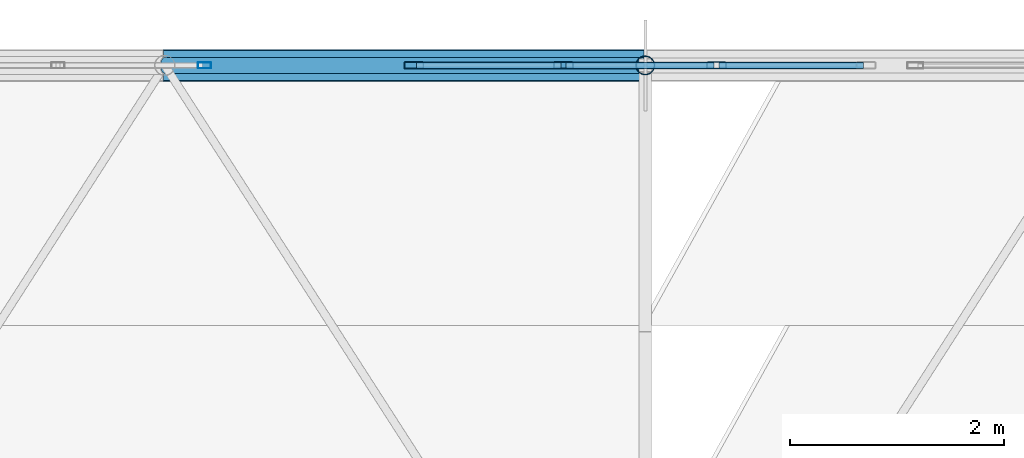
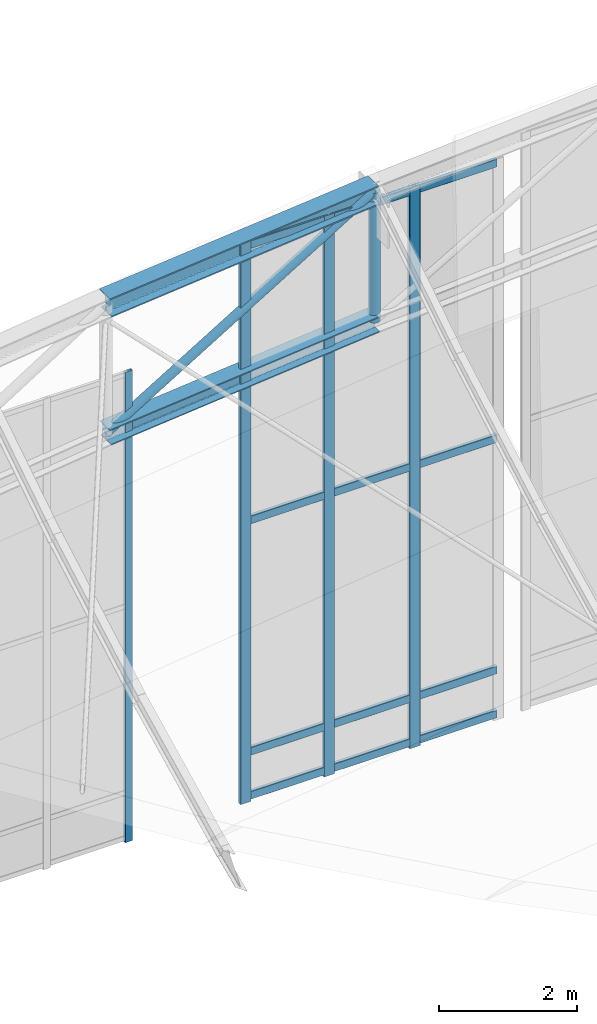
# One storey, part 206 of 262: 20 members, 2 elements without a shape of their own.
"""IFC4 building model written with IfcOpenShell, lengths in metres."""

from ifc_helpers import new_model, si_unit, derived_unit, direction, frame, origin, origin_2d, place, context, subcontext, project, spatial, hollow_rectangle, hollow_circle, i_section, extrude, material, layer, layer_set, material_profile, profile_set, type_object, element, aggregate, save


model = new_model("IFC4")

# Units and contexts
model_context = context("Model", 3, precision=1e-05, world=origin(), true_north=direction((0.0, 1.0)))
body_context = subcontext(model_context, "Body", "Model", "MODEL_VIEW")
ifc_project = project(units=[si_unit("LENGTHUNIT", "METRE"), si_unit("AREAUNIT", "SQUARE_METRE"), si_unit("VOLUMEUNIT", "CUBIC_METRE"), si_unit("PLANEANGLEUNIT", "RADIAN"), si_unit("MASSUNIT", "GRAM", prefix="KILO"), derived_unit("THERMALTRANSMITTANCEUNIT", [(si_unit("POWERUNIT", "WATT"), 1), (si_unit("LENGTHUNIT", "METRE"), -2), (si_unit("THERMODYNAMICTEMPERATUREUNIT", "KELVIN"), -1)])], contexts=[model_context])

# Site, building, storey
site_placement = place(None, origin())
site = spatial("IfcSite", under=ifc_project, at=site_placement, CompositionType="ELEMENT")
building_placement = place(site_placement, origin())
building = spatial("IfcBuilding", under=site, at=building_placement, Name="Almenara Railside Exhibition Hall", CompositionType="ELEMENT")
storey_placement = place(building_placement, frame((0.0, 0.0, 21.699951171875)))
storey = spatial("IfcBuildingStorey", under=building, at=storey_placement, Name="RF", CompositionType="ELEMENT", Elevation=21.699951171875)

# Members
ifc_material_1 = material(Name="Structural steel S355JR", Category="steel")
ifc_material_profile_1 = material_profile(ifc_material_1, i_section(OverallWidth=0.280029296875, OverallDepth=0.280029296875, WebThickness=0.010498046875, FlangeThickness=0.01806640625, FilletRadius=0.02392578125, at=origin_2d()), Name="HEB 280")
ifc_profile_set_1 = profile_set([ifc_material_profile_1], Name="Structural steel S355JR")
member_type_1 = type_object("IfcMemberType", Name="Arched Gable Bottom Chord HEB 280 S355JR", PredefinedType="CHORD", material=ifc_profile_set_1)
member_1_placement = place(storey_placement, frame((147.0, 132.0, 0.622314453125), z_axis=(0.995512933083, 0.0, 0.094625578275), x_axis=(0.0, 1.0, 0.0)))
element("IfcMember", 1, at=member_1_placement, inside=storey, type_object=member_type_1, Name="MEM-BC-V2-07-02", PredefinedType="CHORD", context=body_context, shape_type="SweptSolid", body=[
    extrude(i_section(OverallWidth=0.280029296875, OverallDepth=0.280029296875, WebThickness=0.010498046875, FlangeThickness=0.01806640625, FilletRadius=0.02392578125, at=origin_2d()), origin(), (0.0, 0.0, 1.0), 4.520263671875),
])
ifc_material_profile_2 = material_profile(ifc_material_1, i_section(OverallWidth=0.300048828125, OverallDepth=0.340087890625, WebThickness=0.011962890625, FlangeThickness=0.021484375, FilletRadius=0.027099609375, at=origin_2d()), Name="HEB 340")
ifc_profile_set_2 = profile_set([ifc_material_profile_2], Name="Structural steel S355JR")
member_type_2 = type_object("IfcMemberType", Name="Arched Gable Top Chord HEB 340 S355JR", PredefinedType="CHORD", material=ifc_profile_set_2)
member_2_placement = place(storey_placement, frame((147.0, 132.0, 2.92236328125), z_axis=(0.995512933083, 0.0, 0.094625578275), x_axis=(0.0, 1.0, 0.0)))
element("IfcMember", 2, at=member_2_placement, inside=storey, type_object=member_type_2, Name="MEM-TC-V2-07-02", PredefinedType="CHORD", context=body_context, shape_type="SweptSolid", body=[
    extrude(i_section(OverallWidth=0.300048828125, OverallDepth=0.340087890625, WebThickness=0.011962890625, FlangeThickness=0.021484375, FilletRadius=0.027099609375, at=origin_2d()), origin(), (0.0, 0.0, 1.0), 4.520263671875),
])

# Curtain wall, member
ifc_material_2 = material(Name="Bronze-anodised aluminium and low-E double glazing", Category="aluminium")
ifc_layer_1 = layer(ifc_material_2, 0.179931640625, Name="Bronze-anodised aluminium and low-E double glazing")
ifc_layer_set_1 = layer_set([ifc_layer_1], Name="Bronze-anodised aluminium and low-E double glazing")
curtain_wall_type_1 = type_object("IfcCurtainWallType", Name="Scroll Gable Standard Curtain Wall 3600x5000", PredefinedType="NOTDEFINED", material=ifc_layer_set_1)
curtain_wall_1_placement = place(storey_placement, origin())
curtain_wall_1 = element("IfcCurtainWall", 3, at=curtain_wall_1_placement, inside=storey, type_object=curtain_wall_type_1, Name="Curtain wall CW-G2-223", PredefinedType="NOTDEFINED")
ifc_material_3 = material(Name="Bronze-anodised aluminium", Category="aluminium")
ifc_material_profile_3 = material_profile(ifc_material_3, hollow_rectangle(XDim=0.054931640625, YDim=0.125, WallThickness=0.0029296875, InnerFilletRadius=0.0029296875, OuterFilletRadius=0.006103515625, at=origin_2d()), Name="ALU-MUL 55x125x3")
ifc_profile_set_3 = profile_set([ifc_material_profile_3], Name="Bronze-anodised aluminium")
member_type_3 = type_object("IfcMemberType", Name="Curtain Wall Mullion 55x125x3", PredefinedType="MULLION", material=ifc_profile_set_3)
member_3_placement = place(storey_placement, frame((147.37255859375, 132.0, -6.73486328125), z_axis=(0.0, 0.0, 1.0), x_axis=(0.0, 1.0, 0.0)))
member_3 = element("IfcMember", 4, at=member_3_placement, type_object=member_type_3, Name="CW-G2-223 mullion 7", PredefinedType="MULLION", context=body_context, shape_type="SweptSolid", body=[
    extrude(hollow_rectangle(XDim=0.054931640625, YDim=0.125, WallThickness=0.0029296875, InnerFilletRadius=0.0029296875, OuterFilletRadius=0.006103515625, at=origin_2d()), origin(), (0.0, 0.0, 1.0), 8.3349609375),
])
aggregate(curtain_wall_1, [member_3])

# Curtain wall, members
ifc_layer_2 = layer(ifc_material_2, 0.179931640625, Name="Bronze-anodised aluminium and low-E double glazing")
ifc_layer_set_2 = layer_set([ifc_layer_2], Name="Bronze-anodised aluminium and low-E double glazing")
curtain_wall_type_2 = type_object("IfcCurtainWallType", Name="Scroll Gable Tall Curtain Wall 3800x5400", PredefinedType="NOTDEFINED", material=ifc_layer_set_2)
curtain_wall_2_placement = place(storey_placement, origin())
curtain_wall_2 = element("IfcCurtainWall", 5, at=curtain_wall_2_placement, inside=storey, type_object=curtain_wall_type_2, Name="Curtain wall CW-G1-225", PredefinedType="NOTDEFINED")
ifc_material_profile_4 = material_profile(ifc_material_3, hollow_rectangle(XDim=0.06494140625, YDim=0.179931640625, WallThickness=0.00390625, InnerFilletRadius=0.00390625, OuterFilletRadius=0.008056640625, at=origin_2d()), Name="ALU-MUL 65x180x4")
ifc_profile_set_4 = profile_set([ifc_material_profile_4], Name="Bronze-anodised aluminium")
member_type_4 = type_object("IfcMemberType", Name="Curtain Wall Mullion 65x180x4", PredefinedType="MULLION", material=ifc_profile_set_4)
member_4_placement = place(storey_placement, frame((149.33251953125, 132.0, -6.73486328125), z_axis=(0.0, 0.0, 1.0), x_axis=(0.0, 1.0, 0.0)))
member_4 = element("IfcMember", 6, at=member_4_placement, type_object=member_type_4, Name="CW-G1-225 mullion 1", PredefinedType="MULLION", context=body_context, shape_type="SweptSolid", body=[
    extrude(hollow_rectangle(XDim=0.06494140625, YDim=0.179931640625, WallThickness=0.00390625, InnerFilletRadius=0.00390625, OuterFilletRadius=0.008056640625, at=origin_2d()), origin(), (0.0, 0.0, 1.0), 9.934814453125),
])
member_5_placement = place(storey_placement, frame((150.7333984375, 132.0, -6.73486328125), z_axis=(0.0, 0.0, 1.0), x_axis=(0.0, 1.0, 0.0)))
member_5 = element("IfcMember", 7, at=member_5_placement, type_object=member_type_4, Name="CW-G1-225 mullion 2", PredefinedType="MULLION", context=body_context, shape_type="SweptSolid", body=[
    extrude(hollow_rectangle(XDim=0.06494140625, YDim=0.179931640625, WallThickness=0.00390625, InnerFilletRadius=0.00390625, OuterFilletRadius=0.008056640625, at=origin_2d()), origin(), (0.0, 0.0, 1.0), 9.934814453125),
])
member_6_placement = place(storey_placement, frame((152.166748046875, 132.0, -6.73486328125), z_axis=(0.0, 0.0, 1.0), x_axis=(0.0, 1.0, 0.0)))
member_6 = element("IfcMember", 8, at=member_6_placement, type_object=member_type_4, Name="CW-G1-225 mullion 3", PredefinedType="MULLION", context=body_context, shape_type="SweptSolid", body=[
    extrude(hollow_rectangle(XDim=0.06494140625, YDim=0.179931640625, WallThickness=0.00390625, InnerFilletRadius=0.00390625, OuterFilletRadius=0.008056640625, at=origin_2d()), origin(), (0.0, 0.0, 1.0), 9.934814453125),
])
ifc_material_profile_5 = material_profile(ifc_material_3, hollow_rectangle(XDim=0.06494140625, YDim=0.139892578125, WallThickness=0.00341796875, InnerFilletRadius=0.00341796875, OuterFilletRadius=0.007080078125, at=origin_2d()), Name="ALU-TRN 65x140x3.5")
ifc_profile_set_5 = profile_set([ifc_material_profile_5], Name="Bronze-anodised aluminium")
member_type_5 = type_object("IfcMemberType", Name="Curtain Wall Transom 65x140x3.5", PredefinedType="USERDEFINED", material=ifc_profile_set_5)
member_7_placement = place(storey_placement, frame((149.35693359375, 132.0, -6.6298828125), z_axis=(1.0, 0.0, 0.0), x_axis=(0.0, 1.0, 0.0)))
member_7 = element("IfcMember", 9, at=member_7_placement, type_object=member_type_5, Name="CW-G1-225 transom 1.1", ObjectType="TRANSOM", PredefinedType="USERDEFINED", context=body_context, shape_type="SweptSolid", body=[
    extrude(hollow_rectangle(XDim=0.06494140625, YDim=0.139892578125, WallThickness=0.00341796875, InnerFilletRadius=0.00341796875, OuterFilletRadius=0.007080078125, at=origin_2d()), origin(), (0.0, 0.0, 1.0), 1.351806640625),
])
member_8_placement = place(storey_placement, frame((149.35693359375, 132.0, -5.849853515625), z_axis=(1.0, 0.0, 0.0), x_axis=(0.0, 1.0, 0.0)))
member_8 = element("IfcMember", 10, at=member_8_placement, type_object=member_type_5, Name="CW-G1-225 transom 1.2", ObjectType="TRANSOM", PredefinedType="USERDEFINED", context=body_context, shape_type="SweptSolid", body=[
    extrude(hollow_rectangle(XDim=0.06494140625, YDim=0.139892578125, WallThickness=0.00341796875, InnerFilletRadius=0.00341796875, OuterFilletRadius=0.007080078125, at=origin_2d()), origin(), (0.0, 0.0, 1.0), 1.351806640625),
])
member_9_placement = place(storey_placement, frame((149.35693359375, 132.0, -1.75), z_axis=(1.0, 0.0, 0.0), x_axis=(0.0, 1.0, 0.0)))
member_9 = element("IfcMember", 11, at=member_9_placement, type_object=member_type_5, Name="CW-G1-225 transom 1.3", ObjectType="TRANSOM", PredefinedType="USERDEFINED", context=body_context, shape_type="SweptSolid", body=[
    extrude(hollow_rectangle(XDim=0.06494140625, YDim=0.139892578125, WallThickness=0.00341796875, InnerFilletRadius=0.00341796875, OuterFilletRadius=0.007080078125, at=origin_2d()), origin(), (0.0, 0.0, 1.0), 1.351806640625),
])
member_10_placement = place(storey_placement, frame((149.35693359375, 132.0, 3.130126953125), z_axis=(1.0, 0.0, 0.0), x_axis=(0.0, 1.0, 0.0)))
member_10 = element("IfcMember", 12, at=member_10_placement, type_object=member_type_5, Name="CW-G1-225 transom 1.4", ObjectType="TRANSOM", PredefinedType="USERDEFINED", context=body_context, shape_type="SweptSolid", body=[
    extrude(hollow_rectangle(XDim=0.06494140625, YDim=0.139892578125, WallThickness=0.00341796875, InnerFilletRadius=0.00341796875, OuterFilletRadius=0.007080078125, at=origin_2d()), origin(), (0.0, 0.0, 1.0), 1.351806640625),
])
member_11_placement = place(storey_placement, frame((150.7578125, 132.0, -6.6298828125), z_axis=(1.0, 0.0, 0.0), x_axis=(0.0, 1.0, 0.0)))
member_11 = element("IfcMember", 13, at=member_11_placement, type_object=member_type_5, Name="CW-G1-225 transom 2.1", ObjectType="TRANSOM", PredefinedType="USERDEFINED", context=body_context, shape_type="SweptSolid", body=[
    extrude(hollow_rectangle(XDim=0.06494140625, YDim=0.139892578125, WallThickness=0.00341796875, InnerFilletRadius=0.00341796875, OuterFilletRadius=0.007080078125, at=origin_2d()), origin(), (0.0, 0.0, 1.0), 1.38427734375),
])
member_12_placement = place(storey_placement, frame((150.7578125, 132.0, -5.849853515625), z_axis=(1.0, 0.0, 0.0), x_axis=(0.0, 1.0, 0.0)))
member_12 = element("IfcMember", 14, at=member_12_placement, type_object=member_type_5, Name="CW-G1-225 transom 2.2", ObjectType="TRANSOM", PredefinedType="USERDEFINED", context=body_context, shape_type="SweptSolid", body=[
    extrude(hollow_rectangle(XDim=0.06494140625, YDim=0.139892578125, WallThickness=0.00341796875, InnerFilletRadius=0.00341796875, OuterFilletRadius=0.007080078125, at=origin_2d()), origin(), (0.0, 0.0, 1.0), 1.38427734375),
])
member_13_placement = place(storey_placement, frame((150.7578125, 132.0, -1.75), z_axis=(1.0, 0.0, 0.0), x_axis=(0.0, 1.0, 0.0)))
member_13 = element("IfcMember", 15, at=member_13_placement, type_object=member_type_5, Name="CW-G1-225 transom 2.3", ObjectType="TRANSOM", PredefinedType="USERDEFINED", context=body_context, shape_type="SweptSolid", body=[
    extrude(hollow_rectangle(XDim=0.06494140625, YDim=0.139892578125, WallThickness=0.00341796875, InnerFilletRadius=0.00341796875, OuterFilletRadius=0.007080078125, at=origin_2d()), origin(), (0.0, 0.0, 1.0), 1.38427734375),
])
member_14_placement = place(storey_placement, frame((150.7578125, 132.0, 3.130126953125), z_axis=(1.0, 0.0, 0.0), x_axis=(0.0, 1.0, 0.0)))
member_14 = element("IfcMember", 16, at=member_14_placement, type_object=member_type_5, Name="CW-G1-225 transom 2.4", ObjectType="TRANSOM", PredefinedType="USERDEFINED", context=body_context, shape_type="SweptSolid", body=[
    extrude(hollow_rectangle(XDim=0.06494140625, YDim=0.139892578125, WallThickness=0.00341796875, InnerFilletRadius=0.00341796875, OuterFilletRadius=0.007080078125, at=origin_2d()), origin(), (0.0, 0.0, 1.0), 1.38427734375),
])
member_15_placement = place(storey_placement, frame((152.191162109375, 132.0, -6.6298828125), z_axis=(1.0, 0.0, 0.0), x_axis=(0.0, 1.0, 0.0)))
member_15 = element("IfcMember", 17, at=member_15_placement, type_object=member_type_5, Name="CW-G1-225 transom 3.1", ObjectType="TRANSOM", PredefinedType="USERDEFINED", context=body_context, shape_type="SweptSolid", body=[
    extrude(hollow_rectangle(XDim=0.06494140625, YDim=0.139892578125, WallThickness=0.00341796875, InnerFilletRadius=0.00341796875, OuterFilletRadius=0.007080078125, at=origin_2d()), origin(), (0.0, 0.0, 1.0), 1.351806640625),
])
member_16_placement = place(storey_placement, frame((152.191162109375, 132.0, -5.849853515625), z_axis=(1.0, 0.0, 0.0), x_axis=(0.0, 1.0, 0.0)))
member_16 = element("IfcMember", 18, at=member_16_placement, type_object=member_type_5, Name="CW-G1-225 transom 3.2", ObjectType="TRANSOM", PredefinedType="USERDEFINED", context=body_context, shape_type="SweptSolid", body=[
    extrude(hollow_rectangle(XDim=0.06494140625, YDim=0.139892578125, WallThickness=0.00341796875, InnerFilletRadius=0.00341796875, OuterFilletRadius=0.007080078125, at=origin_2d()), origin(), (0.0, 0.0, 1.0), 1.351806640625),
])
member_17_placement = place(storey_placement, frame((152.191162109375, 132.0, -1.75), z_axis=(1.0, 0.0, 0.0), x_axis=(0.0, 1.0, 0.0)))
member_17 = element("IfcMember", 19, at=member_17_placement, type_object=member_type_5, Name="CW-G1-225 transom 3.3", ObjectType="TRANSOM", PredefinedType="USERDEFINED", context=body_context, shape_type="SweptSolid", body=[
    extrude(hollow_rectangle(XDim=0.06494140625, YDim=0.139892578125, WallThickness=0.00341796875, InnerFilletRadius=0.00341796875, OuterFilletRadius=0.007080078125, at=origin_2d()), origin(), (0.0, 0.0, 1.0), 1.351806640625),
])
member_18_placement = place(storey_placement, frame((152.191162109375, 132.0, 3.130126953125), z_axis=(1.0, 0.0, 0.0), x_axis=(0.0, 1.0, 0.0)))
member_18 = element("IfcMember", 20, at=member_18_placement, type_object=member_type_5, Name="CW-G1-225 transom 3.4", ObjectType="TRANSOM", PredefinedType="USERDEFINED", context=body_context, shape_type="SweptSolid", body=[
    extrude(hollow_rectangle(XDim=0.06494140625, YDim=0.139892578125, WallThickness=0.00341796875, InnerFilletRadius=0.00341796875, OuterFilletRadius=0.007080078125, at=origin_2d()), origin(), (0.0, 0.0, 1.0), 1.351806640625),
])
aggregate(curtain_wall_2, [member_4, member_5, member_6, member_7, member_8, member_9, member_10, member_11, member_12, member_13, member_14, member_15, member_16, member_17, member_18])

# Members
ifc_material_profile_6 = material_profile(ifc_material_1, hollow_circle(Radius=0.076171875, WallThickness=0.0048828125, at=origin_2d()), Name="CHS 152.4x5")
ifc_profile_set_6 = profile_set([ifc_material_profile_6], Name="Structural steel S355JR")
member_type_6 = type_object("IfcMemberType", Name="Truss Mid Diagonal CHS 152.4x5 S355JR", PredefinedType="BRACE", material=ifc_profile_set_6)
member_19_placement = place(storey_placement, frame((147.0, 132.0, 0.622314453125), z_axis=(0.855154829777, 0.0, 0.518372662386), x_axis=(0.0, 1.0, 0.0)))
element("IfcMember", 21, at=member_19_placement, inside=storey, type_object=member_type_6, Name="MEM-TD-V2-07-02", PredefinedType="BRACE", context=body_context, shape_type="SweptSolid", body=[
    extrude(hollow_circle(Radius=0.076171875, WallThickness=0.0048828125, at=origin_2d()), origin(), (0.0, 0.0, 1.0), 5.26220703125),
])
ifc_material_profile_7 = material_profile(ifc_material_1, hollow_circle(Radius=0.0888671875, WallThickness=0.006103515625, at=origin_2d()), Name="CHS 177.8x6")
ifc_profile_set_7 = profile_set([ifc_material_profile_7], Name="Structural steel S355JR")
member_type_7 = type_object("IfcMemberType", Name="Truss Quarter Vertical Strut CHS 177.8x6 S355JR", PredefinedType="BRACE", material=ifc_profile_set_7)
member_20_placement = place(storey_placement, frame((151.5, 132.0, 1.050048828125), z_axis=(0.0, 0.0, 1.0), x_axis=(1.0, 0.0, 0.0)))
element("IfcMember", 22, at=member_20_placement, inside=storey, type_object=member_type_7, Name="MEM-TV-V2-07-03", PredefinedType="BRACE", context=body_context, shape_type="SweptSolid", body=[
    extrude(hollow_circle(Radius=0.0888671875, WallThickness=0.006103515625, at=origin_2d()), origin(), (0.0, 0.0, 1.0), 2.300048828125),
])

save(model, "model.ifc")
